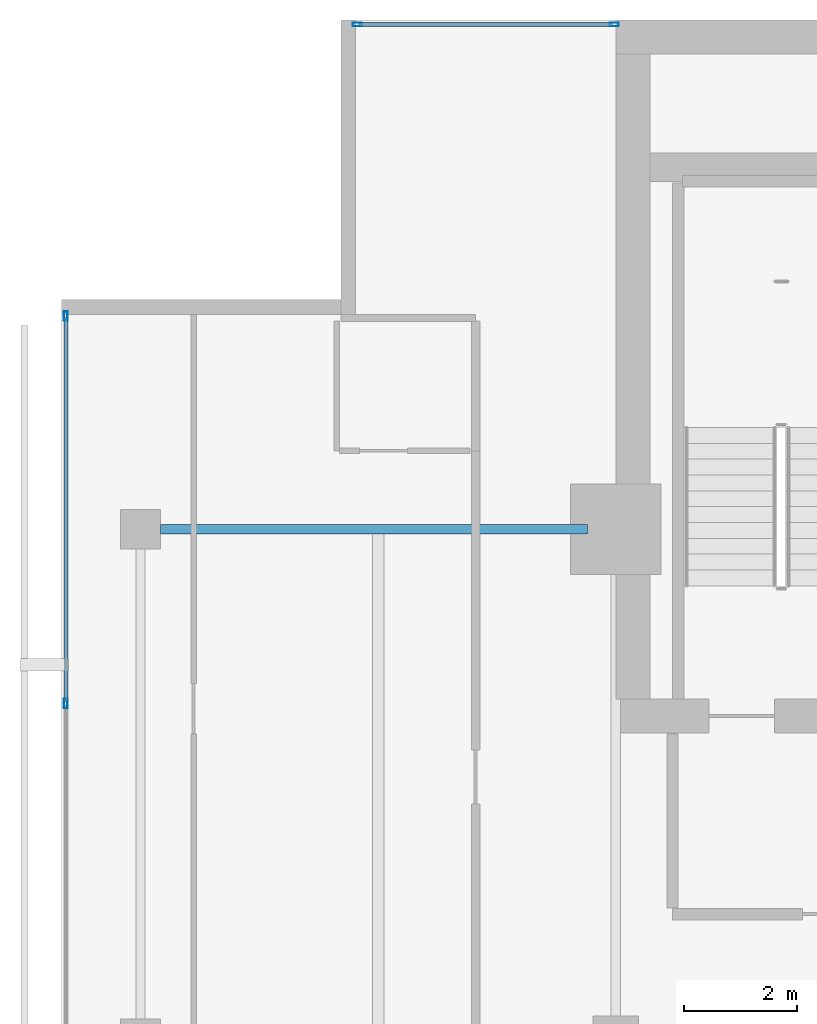
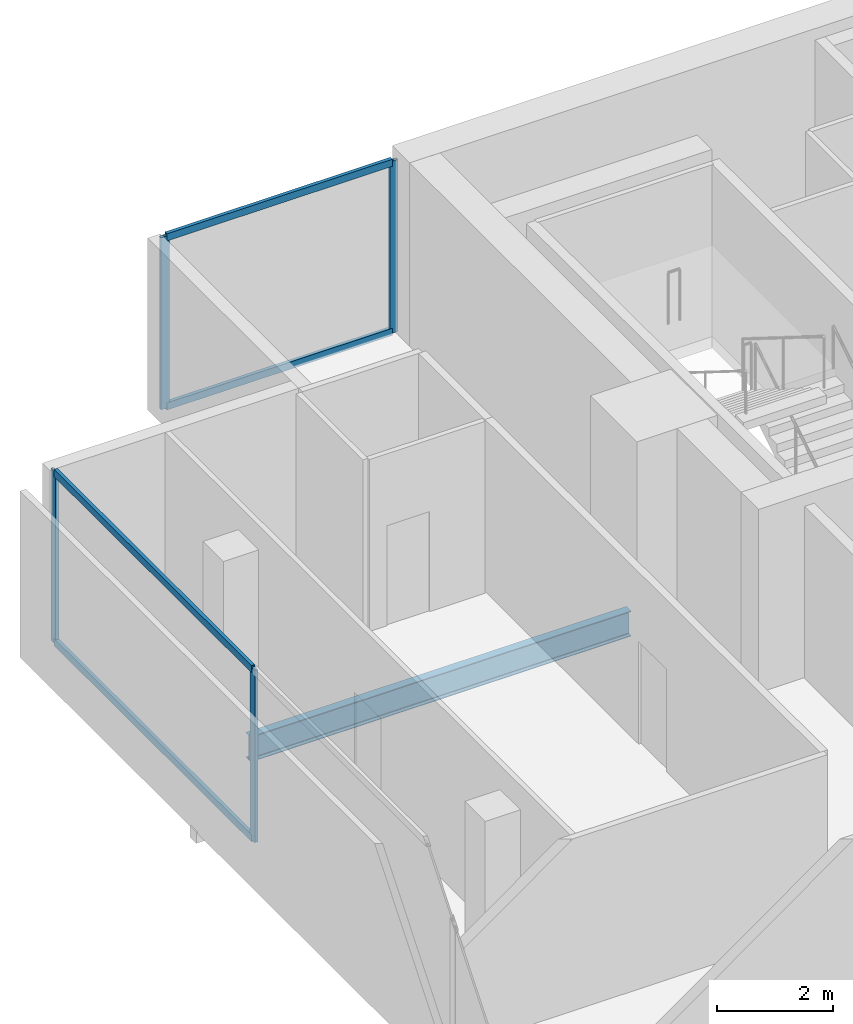
# One storey, part 16 of 25: 8 members, 1 beam, 2 elements without a shape of their own.
"""IFC4 building model written with IfcOpenShell, lengths in metres."""

from ifc_helpers import new_model, si_unit, direction, frame, origin, origin_2d, place, context, subcontext, project, spatial, hollow_rectangle, i_section, extrude, material, layer, layer_set, material_profile, profile_set, type_object, element, aggregate, save


model = new_model("IFC4")

# Units and contexts
model_context = context("Model", 3, precision=1e-05, world=origin(), true_north=direction((0.0, 1.0)))
body_context = subcontext(model_context, "Body", "Model", "MODEL_VIEW")
ifc_project = project(units=[si_unit("LENGTHUNIT", "METRE"), si_unit("AREAUNIT", "SQUARE_METRE"), si_unit("VOLUMEUNIT", "CUBIC_METRE"), si_unit("PLANEANGLEUNIT", "RADIAN"), si_unit("MASSUNIT", "GRAM", prefix="KILO")], contexts=[model_context])

# Site, building, storey
site_placement = place(None, origin())
site = spatial("IfcSite", under=ifc_project, at=site_placement, CompositionType="ELEMENT")
building_placement = place(site_placement, origin())
building = spatial("IfcBuilding", under=site, at=building_placement, Name="Maruvema Waterfront Hotel and Observation Tower", CompositionType="ELEMENT")
storey_placement = place(building_placement, frame((0.0, 0.0, 277.89990234375)))
storey = spatial("IfcBuildingStorey", under=building, at=storey_placement, Name="L68", CompositionType="ELEMENT", Elevation=277.89990234375)

# Curtain wall, members
ifc_material_1 = material(Name="Anodised bronze aluminium and solar-control low-E IGU", Category="aluminium")
ifc_layer = layer(ifc_material_1, 0.159912109375, Name="Zone 3 Champagne Inner Thermal Curtain Wall System CW-04")
ifc_layer_set = layer_set([ifc_layer], Name="Anodised bronze aluminium and solar-control low-E IGU")
curtain_wall_type = type_object("IfcCurtainWallType", Name="Zone 3 Champagne Inner Thermal Curtain Wall System CW-04", PredefinedType="USERDEFINED", material=ifc_layer_set)
curtain_wall_1_placement = place(storey_placement, origin())
curtain_wall_1 = element("IfcCurtainWall", 1, at=curtain_wall_1_placement, inside=storey, type_object=curtain_wall_type, Name="L68 Curtain Wall CW-L68-W", ObjectType="UNITISED CURTAIN WALL", PredefinedType="USERDEFINED")
ifc_material_2 = material(Name="Anodised architectural bronze aluminium", Category="aluminium")
ifc_material_profile_1 = material_profile(ifc_material_2, hollow_rectangle(XDim=0.070068359375, YDim=0.14990234375, WallThickness=0.00390625, at=origin_2d()), Name="ALU-T70x150")
ifc_profile_set_1 = profile_set([ifc_material_profile_1], Name="Anodised architectural bronze aluminium")
member_type_1 = type_object("IfcMemberType", Name="Curtain Wall Horizontal Transom ALU-T70x150", PredefinedType="USERDEFINED", material=ifc_profile_set_1)
member_1_placement = place(storey_placement, frame((15.47998046875, 48.739990234375, 0.030029296875), z_axis=(0.0, -1.0, 0.0), x_axis=(1.0, 0.0, 0.0)))
member_1 = element("IfcMember", 2, at=member_1_placement, type_object=member_type_1, Name="CW-04 transom 1.1", ObjectType="TRANSOM", PredefinedType="USERDEFINED", context=body_context, shape_type="SweptSolid", body=[
    extrude(hollow_rectangle(XDim=0.070068359375, YDim=0.14990234375, WallThickness=0.00390625, at=origin_2d()), origin(), (0.0, 0.0, 1.0), 6.7900390625),
])
member_2_placement = place(storey_placement, frame((15.47998046875, 48.739990234375, 3.580078125), z_axis=(0.0, -1.0, 0.0), x_axis=(1.0, 0.0, 0.0)))
member_2 = element("IfcMember", 3, at=member_2_placement, type_object=member_type_1, Name="CW-04 transom 1.2", ObjectType="TRANSOM", PredefinedType="USERDEFINED", context=body_context, shape_type="SweptSolid", body=[
    extrude(hollow_rectangle(XDim=0.070068359375, YDim=0.14990234375, WallThickness=0.00390625, at=origin_2d()), origin(), (0.0, 0.0, 1.0), 6.7900390625),
])

curtain_wall_2_placement = place(storey_placement, origin())
curtain_wall_2 = element("IfcCurtainWall", 4, at=curtain_wall_2_placement, inside=storey, type_object=curtain_wall_type, Name="L68 Curtain Wall CW-L68-NW", ObjectType="UNITISED CURTAIN WALL", PredefinedType="USERDEFINED")
member_3_placement = place(storey_placement, frame((25.139892578125, 53.919921875, 0.030029296875), z_axis=(-1.0, 0.0, 0.0), x_axis=(0.0, -1.0, 0.0)))
member_3 = element("IfcMember", 5, at=member_3_placement, type_object=member_type_1, Name="CW-04 transom 1.1", ObjectType="TRANSOM", PredefinedType="USERDEFINED", context=body_context, shape_type="SweptSolid", body=[
    extrude(hollow_rectangle(XDim=0.070068359375, YDim=0.14990234375, WallThickness=0.00390625, at=origin_2d()), origin(), (0.0, 0.0, 1.0), 4.47998046875),
])
member_4_placement = place(storey_placement, frame((25.139892578125, 53.919921875, 3.580078125), z_axis=(-1.0, 0.0, 0.0), x_axis=(0.0, -1.0, 0.0)))
member_4 = element("IfcMember", 6, at=member_4_placement, type_object=member_type_1, Name="CW-04 transom 1.2", ObjectType="TRANSOM", PredefinedType="USERDEFINED", context=body_context, shape_type="SweptSolid", body=[
    extrude(hollow_rectangle(XDim=0.070068359375, YDim=0.14990234375, WallThickness=0.00390625, at=origin_2d()), origin(), (0.0, 0.0, 1.0), 4.47998046875),
])

# Member
ifc_material_3 = material(Name="Anodised architectural bronze aluminium", Category="aluminium")
ifc_material_profile_2 = material_profile(ifc_material_3, hollow_rectangle(XDim=0.06494140625, YDim=0.1650390625, WallThickness=0.00390625, at=origin_2d()), Name="ALU-M65x165")
ifc_profile_set_2 = profile_set([ifc_material_profile_2], Name="Anodised architectural bronze aluminium")
member_type_2 = type_object("IfcMemberType", Name="Curtain Wall Primary Mullion ALU-M65x165", PredefinedType="MULLION", material=ifc_profile_set_2)
member_5_placement = place(storey_placement, frame((15.47998046875, 48.77001953125, 0.0), z_axis=(0.0, 0.0, 1.0), x_axis=(1.0, 0.0, 0.0)))
member_5 = element("IfcMember", 7, at=member_5_placement, type_object=member_type_2, Name="CW-04 mullion 1", PredefinedType="MULLION", context=body_context, shape_type="SweptSolid", body=[
    extrude(hollow_rectangle(XDim=0.06494140625, YDim=0.1650390625, WallThickness=0.00390625, at=origin_2d()), origin(), (0.0, 0.0, 1.0), 3.610107421875),
])

member_6_placement = place(storey_placement, frame((15.47998046875, 41.919921875, 0.0), z_axis=(0.0, 0.0, 1.0), x_axis=(1.0, 0.0, 0.0)))
member_6 = element("IfcMember", 8, at=member_6_placement, type_object=member_type_2, Name="CW-04 mullion 2", PredefinedType="MULLION", context=body_context, shape_type="SweptSolid", body=[
    extrude(hollow_rectangle(XDim=0.06494140625, YDim=0.1650390625, WallThickness=0.00390625, at=origin_2d()), origin(), (0.0, 0.0, 1.0), 3.610107421875),
])

aggregate(curtain_wall_1, [member_5, member_6, member_1, member_2])

member_7_placement = place(storey_placement, frame((25.169921875, 53.919921875, 0.0), z_axis=(0.0, 0.0, 1.0), x_axis=(0.0, -1.0, 0.0)))
member_7 = element("IfcMember", 9, at=member_7_placement, type_object=member_type_2, Name="CW-04 mullion 1", PredefinedType="MULLION", context=body_context, shape_type="SweptSolid", body=[
    extrude(hollow_rectangle(XDim=0.06494140625, YDim=0.1650390625, WallThickness=0.00390625, at=origin_2d()), origin(), (0.0, 0.0, 1.0), 3.610107421875),
])

member_8_placement = place(storey_placement, frame((20.6298828125, 53.919921875, 0.0), z_axis=(0.0, 0.0, 1.0), x_axis=(0.0, -1.0, 0.0)))
member_8 = element("IfcMember", 10, at=member_8_placement, type_object=member_type_2, Name="CW-04 mullion 2", PredefinedType="MULLION", context=body_context, shape_type="SweptSolid", body=[
    extrude(hollow_rectangle(XDim=0.06494140625, YDim=0.1650390625, WallThickness=0.00390625, at=origin_2d()), origin(), (0.0, 0.0, 1.0), 3.610107421875),
])

aggregate(curtain_wall_2, [member_7, member_8, member_3, member_4])

# Beam
ifc_material_4 = material(Name="Steel ASTM A572 Grade 50", Category="steel")
ifc_material_profile_3 = material_profile(ifc_material_4, i_section(OverallWidth=0.166015625, OverallDepth=0.529052734375, WebThickness=0.009765625, FlangeThickness=0.013671875, FilletRadius=0.014892578125, at=origin_2d()), Name="W530x74.0")
ifc_profile_set_3 = profile_set([ifc_material_profile_3], Name="Steel ASTM A572 Grade 50")
beam_type = type_object("IfcBeamType", Name="Primary Floor Girder W530x74.0", PredefinedType="BEAM", material=ifc_profile_set_3)
beam_placement = place(storey_placement, frame((17.14990234375, 45.0, -0.50439453125), z_axis=(1.0, 0.0, 0.0), x_axis=(0.0, 1.0, 0.0)))
element("IfcBeam", 11, at=beam_placement, inside=storey, type_object=beam_type, Name="L68 Floor Girder EW-17", PredefinedType="BEAM", context=body_context, shape_type="SweptSolid", body=[
    extrude(i_section(OverallWidth=0.166015625, OverallDepth=0.529052734375, WebThickness=0.009765625, FlangeThickness=0.013671875, FilletRadius=0.014892578125, at=origin_2d()), origin(), (0.0, 0.0, 1.0), 7.550048828125),
])

save(model, "model.ifc")
